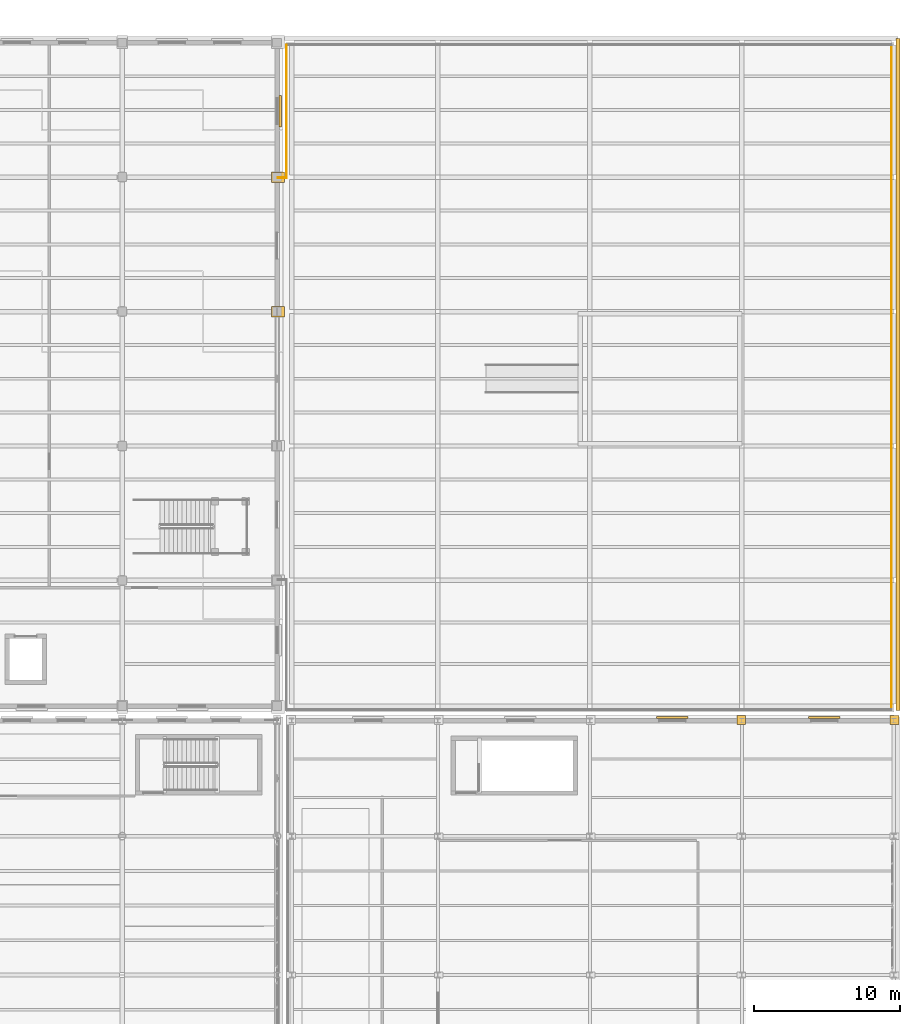
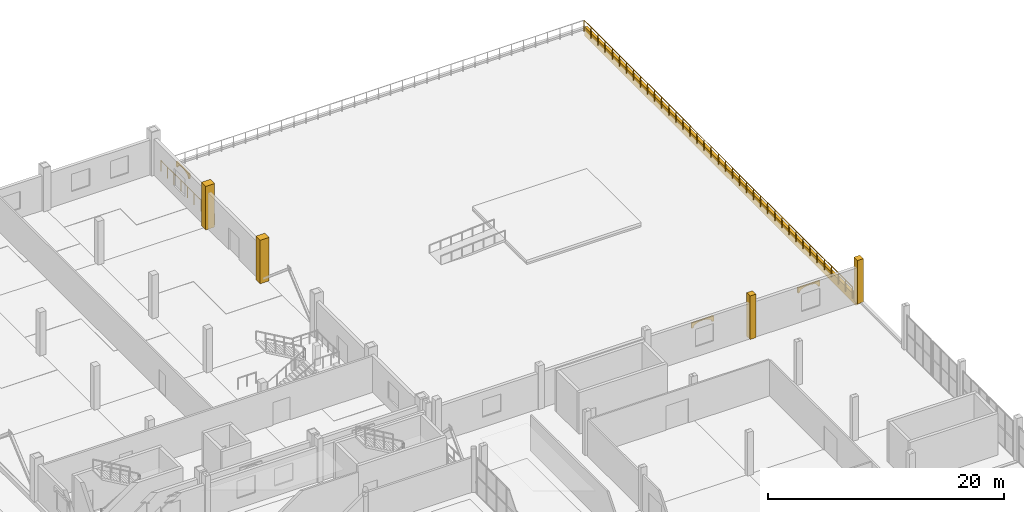
# One storey, part 155 of 156: 8 coverings, 3 railings.
"""IFC4 building model written with IfcOpenShell, lengths in metres."""

from ifc_helpers import new_model, si_unit, direction, frame, frame_2d, origin, origin_2d, place, context, subcontext, project, spatial, polyline, rectangle, circle, outline, extrude, material, layer, layer_set, type_object, element, save


model = new_model("IFC4")

# Units and contexts
model_context = context("Model", 3, precision=1e-05, world=origin(), true_north=direction((0.0, 1.0)))
body_context = subcontext(model_context, "Body", "Model", "MODEL_VIEW")
ifc_project = project(units=[si_unit("LENGTHUNIT", "METRE"), si_unit("AREAUNIT", "SQUARE_METRE"), si_unit("VOLUMEUNIT", "CUBIC_METRE"), si_unit("PLANEANGLEUNIT", "RADIAN"), si_unit("MASSUNIT", "GRAM", prefix="KILO")], contexts=[model_context])

# Site, building, storey
site_placement = place(None, origin())
site = spatial("IfcSite", under=ifc_project, at=site_placement, CompositionType="ELEMENT")
building_placement = place(site_placement, origin())
building = spatial("IfcBuilding", under=site, at=building_placement, Name="Caurita Quay Ferry Terminal", CompositionType="ELEMENT")
storey_placement = place(building_placement, frame((0.0, 0.0, 5.39990234375)))
storey = spatial("IfcBuildingStorey", under=building, at=storey_placement, Name="L01", CompositionType="ELEMENT", Elevation=5.39990234375)

# Coverings
ifc_material_1 = material(Name="Coral stone ashlar cladding", Category="masonry")
ifc_layer_1 = layer(ifc_material_1, 0.239990234375, Name="Classical coral-stone entablature and cornice moulding 240 mm")
ifc_layer_set_1 = layer_set([ifc_layer_1], Name="Coral stone ashlar cladding")
covering_type_1 = type_object("IfcCoveringType", Name="COV-ENT-MLD", PredefinedType="MOLDING", material=ifc_layer_set_1)
covering_placement = place(storey_placement, frame((174.280029296875, 71.300048828125, -0.849853515625), z_axis=(0.0, 0.0, 1.0), x_axis=(0.0, 1.0, 0.0)))
element("IfcCovering", 1, at=covering_placement, inside=storey, type_object=covering_type_1, Name="L01 Classical Entablature Cornice 036", PredefinedType="MOLDING", context=body_context, shape_type="SweptSolid", body=[
    extrude(rectangle(XDim=45.97998046875, YDim=0.280029296875, at=frame_2d((22.989990234375, 0.0))), origin(), (0.0, 0.0, 1.0), 0.929931640625),
])
ifc_material_2 = material(Name="Warm-white lime stucco masonry", Category="masonry")
ifc_layer_2 = layer(ifc_material_2, 0.179931640625, Name="Classical engaged lime-stucco facade pilaster cladding 180 mm")
ifc_layer_set_2 = layer_set([ifc_layer_2], Name="Warm-white lime stucco masonry")
covering_type_2 = type_object("IfcCoveringType", Name="COV-PIL-CLD", PredefinedType="CLADDING", material=ifc_layer_set_2)
for number, where, z_axis, x_axis, name in (
    (2, (163.550048828125, 70.64990234375, 0.0), (0.0, 0.0, 1.0), (1.0, 0.0, 0.0), "L01 Classical Engaged Pilaster 0179"),
    (3, (174.050048828125, 70.64990234375, 0.0), (0.0, 0.0, 1.0), (1.0, 0.0, 0.0), "L01 Classical Engaged Pilaster 0198"),
):
    element("IfcCovering", number, at=place(storey_placement, frame(where, z_axis=z_axis, x_axis=x_axis)), inside=storey, type_object=covering_type_2, Name=name, PredefinedType="CLADDING", context=body_context, shape_type="SweptSolid", body=[
        extrude(rectangle(XDim=0.584716796875, YDim=0.58740234375, at=origin_2d()), origin(), (0.0, 0.0, 1.0), 4.5),
    ])
for number, where, z_axis, x_axis, name in (
    (4, (131.85009765625, 98.60009765625, 0.0), (0.0, 0.0, 1.0), (1.0, 0.0, 0.0), "L01 Classical Engaged Pilaster 0232"),
    (5, (131.85009765625, 107.800048828125, 0.0), (0.0, 0.0, 1.0), (1.0, 0.0, 0.0), "L01 Classical Engaged Pilaster 0233"),
):
    element("IfcCovering", number, at=place(storey_placement, frame(where, z_axis=z_axis, x_axis=x_axis)), inside=storey, type_object=covering_type_2, Name=name, PredefinedType="CLADDING", context=body_context, shape_type="SweptSolid", body=[
        extrude(rectangle(XDim=0.8798828125, YDim=0.719970703125, at=origin_2d()), origin(), (0.0, 0.0, 1.0), 4.5),
    ])
ifc_layer_3 = layer(ifc_material_1, 0.139892578125, Name="Spanish Colonial semicircular arched window surround 140 mm")
ifc_layer_set_3 = layer_set([ifc_layer_3], Name="Coral stone ashlar cladding")
covering_type_3 = type_object("IfcCoveringType", Name="COV-WHD-MLD", PredefinedType="MOLDING", material=ifc_layer_set_3)
for number, where, z_axis, x_axis, name in (
    (6, (159.929931640625, 70.81494140625, 2.830078125), (0.0, 0.0, 1.0), (-1.0, 0.0, 0.0), "L01 Arched Window Surround 186"),
    (7, (170.330078125, 70.81494140625, 2.830078125), (0.0, 0.0, 1.0), (-1.0, 0.0, 0.0), "L01 Arched Window Surround 187"),
    (8, (132.014892578125, 111.219970703125, 2.780029296875), (0.0, 0.0, 1.0), (0.0, 1.0, 0.0), "L01 Arched Window Surround 211"),
):
    element("IfcCovering", number, at=place(storey_placement, frame(where, z_axis=z_axis, x_axis=x_axis)), inside=storey, type_object=covering_type_3, Name=name, PredefinedType="MOLDING", context=body_context, shape_type="SweptSolid", body=[
        extrude(outline(polyline([(0.0, 0.0), (0.159912109375, 0.0), (0.159912109375, 0.0400390625), (0.205078125, 0.1728515625), (0.335693359375, 0.292724609375), (0.539306640625, 0.387939453125), (0.795654296875, 0.448974609375), (1.080078125, 0.469970703125), (1.3642578125, 0.448974609375), (1.62060546875, 0.387939453125), (1.82421875, 0.292724609375), (1.954833984375, 0.1728515625), (2.0, 0.0400390625), (2.0, 0.0), (2.159912109375, 0.0), (2.159912109375, 0.550048828125), (0.0, 0.550048828125), (0.0, 0.0)])), frame((0.0, 0.06982421875, 0.0), z_axis=(0.0, -1.0, 0.0), x_axis=(1.0, 0.0, 0.0)), (0.0, 0.0, 1.0), 0.139892578125),
    ])

# Railings
ifc_material_3 = material(Name="Bronze architectural metalwork", Category="metal")
railing_type = type_object("IfcRailingType", Name="RL-REJA-115", PredefinedType="BALUSTRADE", material=ifc_material_3)
railing_1_placement = place(storey_placement, frame((173.85009765625, 71.35009765625, 0.0)))
element("IfcRailing", 9, at=railing_1_placement, inside=storey, type_object=railing_type, Name="Lower Roof Garden Balustrade N-E-S (016)", PredefinedType="BALUSTRADE", context=body_context, shape_type="SweptSolid", body=[
    extrude(circle(Radius=0.02392578125, at=origin_2d()), frame((0.0, 0.0, 1.1259765625), z_axis=(0.0, 1.0, 0.0), x_axis=(-1.0, 0.0, 0.0)), (0.0, 0.0, 1.0), 45.5),
    extrude(circle(Radius=0.02099609375, at=origin_2d()), origin(), (0.0, 0.0, 1.0), 1.101806640625),
    extrude(circle(Radius=0.02099609375, at=origin_2d()), frame((0.0, 1.197265625, 0.0)), (0.0, 0.0, 1.0), 1.101806640625),
    extrude(circle(Radius=0.02099609375, at=origin_2d()), frame((0.0, 2.394775390625, 0.0)), (0.0, 0.0, 1.0), 1.101806640625),
    extrude(circle(Radius=0.02099609375, at=origin_2d()), frame((0.0, 3.592041015625, 0.0)), (0.0, 0.0, 1.0), 1.101806640625),
    extrude(circle(Radius=0.02099609375, at=origin_2d()), frame((0.0, 4.78955078125, 0.0)), (0.0, 0.0, 1.0), 1.101806640625),
    extrude(circle(Radius=0.02099609375, at=origin_2d()), frame((0.0, 5.98681640625, 0.0)), (0.0, 0.0, 1.0), 1.101806640625),
    extrude(circle(Radius=0.02099609375, at=origin_2d()), frame((0.0, 7.184326171875, 0.0)), (0.0, 0.0, 1.0), 1.101806640625),
    extrude(circle(Radius=0.02099609375, at=origin_2d()), frame((0.0, 8.381591796875, 0.0)), (0.0, 0.0, 1.0), 1.101806640625),
    extrude(circle(Radius=0.02099609375, at=origin_2d()), frame((0.0, 9.578857421875, 0.0)), (0.0, 0.0, 1.0), 1.101806640625),
    extrude(circle(Radius=0.02099609375, at=origin_2d()), frame((0.0, 10.7763671875, 0.0)), (0.0, 0.0, 1.0), 1.101806640625),
    extrude(circle(Radius=0.02099609375, at=origin_2d()), frame((0.0, 11.9736328125, 0.0)), (0.0, 0.0, 1.0), 1.101806640625),
    extrude(circle(Radius=0.02099609375, at=origin_2d()), frame((0.0, 13.171142578125, 0.0)), (0.0, 0.0, 1.0), 1.101806640625),
    extrude(circle(Radius=0.02099609375, at=origin_2d()), frame((0.0, 14.368408203125, 0.0)), (0.0, 0.0, 1.0), 1.101806640625),
    extrude(circle(Radius=0.02099609375, at=origin_2d()), frame((0.0, 15.565673828125, 0.0)), (0.0, 0.0, 1.0), 1.101806640625),
    extrude(circle(Radius=0.02099609375, at=origin_2d()), frame((0.0, 16.76318359375, 0.0)), (0.0, 0.0, 1.0), 1.101806640625),
    extrude(circle(Radius=0.02099609375, at=origin_2d()), frame((0.0, 17.96044921875, 0.0)), (0.0, 0.0, 1.0), 1.101806640625),
    extrude(circle(Radius=0.02099609375, at=origin_2d()), frame((0.0, 19.157958984375, 0.0)), (0.0, 0.0, 1.0), 1.101806640625),
    extrude(circle(Radius=0.02099609375, at=origin_2d()), frame((0.0, 20.355224609375, 0.0)), (0.0, 0.0, 1.0), 1.101806640625),
    extrude(circle(Radius=0.02099609375, at=origin_2d()), frame((0.0, 21.552734375, 0.0)), (0.0, 0.0, 1.0), 1.101806640625),
    extrude(circle(Radius=0.02099609375, at=origin_2d()), frame((0.0, 22.75, 0.0)), (0.0, 0.0, 1.0), 1.101806640625),
    extrude(circle(Radius=0.02099609375, at=origin_2d()), frame((0.0, 23.947265625, 0.0)), (0.0, 0.0, 1.0), 1.101806640625),
    extrude(circle(Radius=0.02099609375, at=origin_2d()), frame((0.0, 25.144775390625, 0.0)), (0.0, 0.0, 1.0), 1.101806640625),
    extrude(circle(Radius=0.02099609375, at=origin_2d()), frame((0.0, 26.342041015625, 0.0)), (0.0, 0.0, 1.0), 1.101806640625),
    extrude(circle(Radius=0.02099609375, at=origin_2d()), frame((0.0, 27.53955078125, 0.0)), (0.0, 0.0, 1.0), 1.101806640625),
    extrude(circle(Radius=0.02099609375, at=origin_2d()), frame((0.0, 28.73681640625, 0.0)), (0.0, 0.0, 1.0), 1.101806640625),
    extrude(circle(Radius=0.02099609375, at=origin_2d()), frame((0.0, 29.934326171875, 0.0)), (0.0, 0.0, 1.0), 1.101806640625),
    extrude(circle(Radius=0.02099609375, at=origin_2d()), frame((0.0, 31.131591796875, 0.0)), (0.0, 0.0, 1.0), 1.101806640625),
    extrude(circle(Radius=0.02099609375, at=origin_2d()), frame((0.0, 32.328857421875, 0.0)), (0.0, 0.0, 1.0), 1.101806640625),
    extrude(circle(Radius=0.02099609375, at=origin_2d()), frame((0.0, 33.5263671875, 0.0)), (0.0, 0.0, 1.0), 1.101806640625),
    extrude(circle(Radius=0.02099609375, at=origin_2d()), frame((0.0, 34.7236328125, 0.0)), (0.0, 0.0, 1.0), 1.101806640625),
    extrude(circle(Radius=0.02099609375, at=origin_2d()), frame((0.0, 35.921142578125, 0.0)), (0.0, 0.0, 1.0), 1.101806640625),
    extrude(circle(Radius=0.02099609375, at=origin_2d()), frame((0.0, 37.118408203125, 0.0)), (0.0, 0.0, 1.0), 1.101806640625),
    extrude(circle(Radius=0.02099609375, at=origin_2d()), frame((0.0, 38.315673828125, 0.0)), (0.0, 0.0, 1.0), 1.101806640625),
    extrude(circle(Radius=0.02099609375, at=origin_2d()), frame((0.0, 39.51318359375, 0.0)), (0.0, 0.0, 1.0), 1.101806640625),
    extrude(circle(Radius=0.02099609375, at=origin_2d()), frame((0.0, 40.71044921875, 0.0)), (0.0, 0.0, 1.0), 1.101806640625),
    extrude(circle(Radius=0.02099609375, at=origin_2d()), frame((0.0, 41.907958984375, 0.0)), (0.0, 0.0, 1.0), 1.101806640625),
    extrude(circle(Radius=0.02099609375, at=origin_2d()), frame((0.0, 43.105224609375, 0.0)), (0.0, 0.0, 1.0), 1.101806640625),
    extrude(circle(Radius=0.02099609375, at=origin_2d()), frame((0.0, 44.302734375, 0.0)), (0.0, 0.0, 1.0), 1.101806640625),
    extrude(circle(Radius=0.02099609375, at=origin_2d()), frame((0.0, 45.5, 0.0)), (0.0, 0.0, 1.0), 1.101806640625),
])
railing_2_placement = place(storey_placement, frame((132.449951171875, 116.85009765625, 0.0)))
element("IfcRailing", 10, at=railing_2_placement, inside=storey, type_object=railing_type, Name="Lower Roof Garden Balustrade N-E-S (018)", PredefinedType="BALUSTRADE", context=body_context, shape_type="SweptSolid", body=[
    extrude(circle(Radius=0.02392578125, at=origin_2d()), frame((0.0, 0.0, 1.1259765625), z_axis=(0.0, -1.0, 0.0), x_axis=(1.0, 0.0, 0.0)), (0.0, 0.0, 1.0), 9.050048828125),
    extrude(circle(Radius=0.02099609375, at=origin_2d()), origin(), (0.0, 0.0, 1.0), 1.101806640625),
    extrude(circle(Radius=0.02099609375, at=origin_2d()), frame((0.0, -1.13134765625, 0.0)), (0.0, 0.0, 1.0), 1.101806640625),
    extrude(circle(Radius=0.02099609375, at=origin_2d()), frame((0.0, -2.262451171875, 0.0)), (0.0, 0.0, 1.0), 1.101806640625),
    extrude(circle(Radius=0.02099609375, at=origin_2d()), frame((0.0, -3.393798828125, 0.0)), (0.0, 0.0, 1.0), 1.101806640625),
    extrude(circle(Radius=0.02099609375, at=origin_2d()), frame((0.0, -4.52490234375, 0.0)), (0.0, 0.0, 1.0), 1.101806640625),
    extrude(circle(Radius=0.02099609375, at=origin_2d()), frame((0.0, -5.65625, 0.0)), (0.0, 0.0, 1.0), 1.101806640625),
    extrude(circle(Radius=0.02099609375, at=origin_2d()), frame((0.0, -6.78759765625, 0.0)), (0.0, 0.0, 1.0), 1.101806640625),
    extrude(circle(Radius=0.02099609375, at=origin_2d()), frame((0.0, -7.918701171875, 0.0)), (0.0, 0.0, 1.0), 1.101806640625),
    extrude(circle(Radius=0.02099609375, at=origin_2d()), frame((0.0, -9.050048828125, 0.0)), (0.0, 0.0, 1.0), 1.101806640625),
])
railing_3_placement = place(storey_placement, frame((131.85009765625, 107.75, 0.0)))
element("IfcRailing", 11, at=railing_3_placement, inside=storey, type_object=railing_type, Name="Seismic Joint Bridge Guard North (021)", PredefinedType="BALUSTRADE", context=body_context, shape_type="SweptSolid", body=[
    extrude(circle(Radius=0.02392578125, at=origin_2d()), frame((0.0, 0.0, 1.1259765625), z_axis=(1.0, 0.0, 0.0), x_axis=(0.0, 1.0, 0.0)), (0.0, 0.0, 1.0), 0.599853515625),
    extrude(circle(Radius=0.02099609375, at=origin_2d()), origin(), (0.0, 0.0, 1.0), 1.101806640625),
    extrude(circle(Radius=0.02099609375, at=origin_2d()), frame((0.599853515625, 0.0, 0.0)), (0.0, 0.0, 1.0), 1.101806640625),
])

save(model, "model.ifc")
